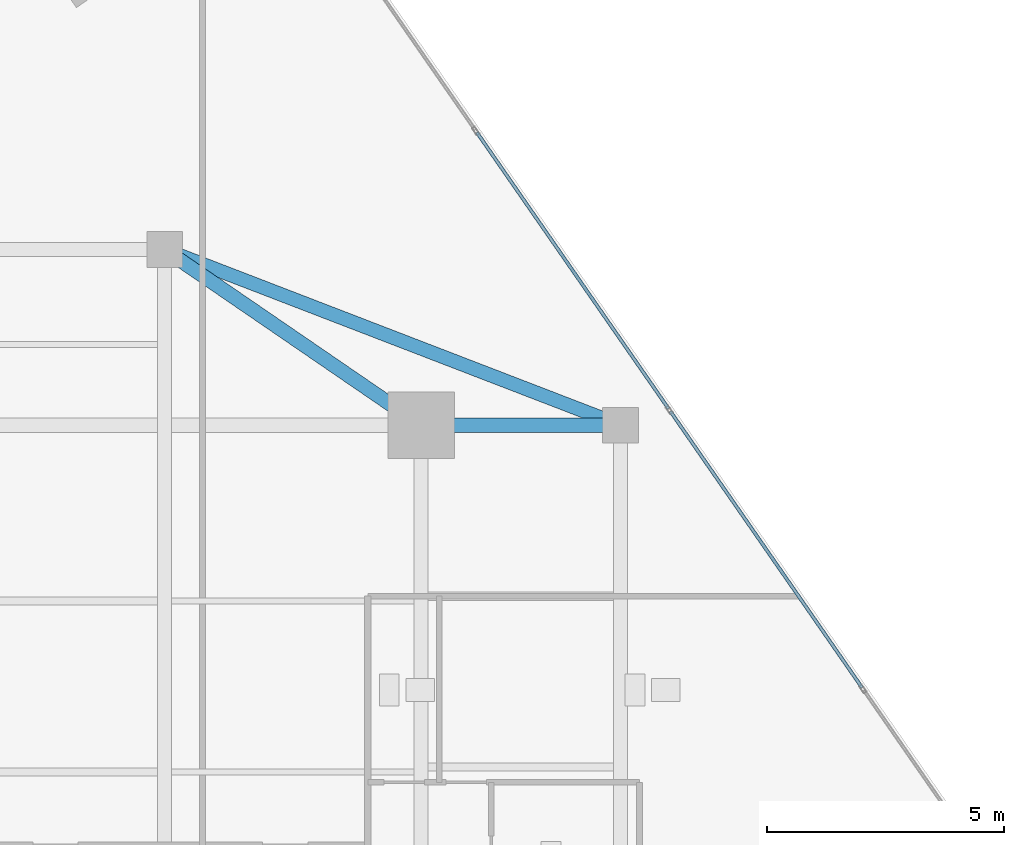
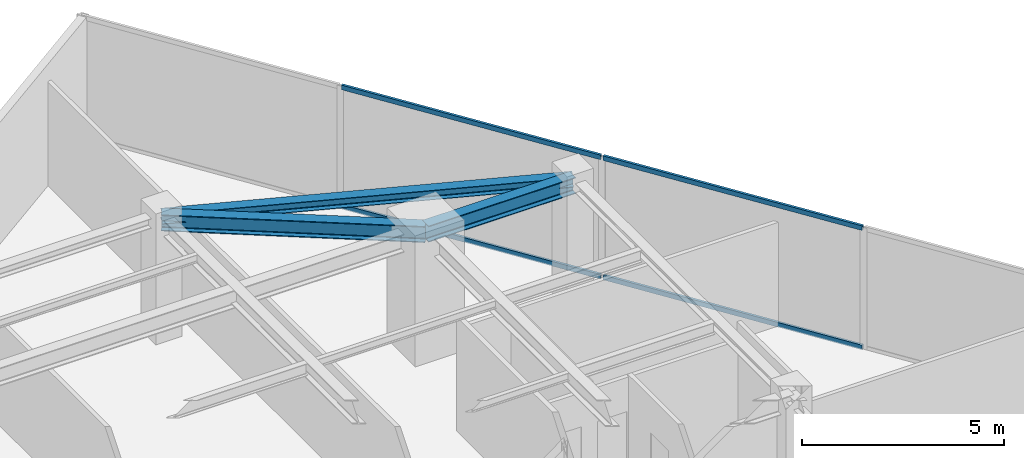
# One storey, part 15 of 21: 4 members, 3 beams, 1 element without a shape of its own.
"""IFC4 building model written with IfcOpenShell, lengths in metres."""

from ifc_helpers import new_model, si_unit, direction, frame, origin, origin_2d, place, context, subcontext, project, spatial, hollow_rectangle, i_section, extrude, source, transform, mapped, material, material_profile, profile_set, type_object, type_shapes, element, aggregate, save


model = new_model("IFC4")

# Units and contexts
model_context = context("Model", 3, precision=1e-05, world=origin(), true_north=direction((0.0, 1.0)))
body_context = subcontext(model_context, "Body", "Model", "MODEL_VIEW")
ifc_project = project(units=[si_unit("LENGTHUNIT", "METRE"), si_unit("AREAUNIT", "SQUARE_METRE"), si_unit("VOLUMEUNIT", "CUBIC_METRE"), si_unit("PLANEANGLEUNIT", "RADIAN"), si_unit("MASSUNIT", "GRAM", prefix="KILO")], contexts=[model_context])

# Site, building, storey
site_placement = place(None, origin())
site = spatial("IfcSite", under=ifc_project, at=site_placement, CompositionType="ELEMENT")
building_placement = place(site_placement, origin())
building = spatial("IfcBuilding", under=site, at=building_placement, Name="Krantzveldt Concourse Tower", CompositionType="ELEMENT")
storey_placement = place(building_placement, frame((0.0, 0.0, 279.25)))
storey = spatial("IfcBuildingStorey", under=building, at=storey_placement, Name="L68", CompositionType="ELEMENT", Elevation=279.25)

# Beams
ifc_material_1 = material(Name="Steel S355JR", Category="steel")
ifc_material_profile_1 = material_profile(ifc_material_1, i_section(OverallWidth=0.300048828125, OverallDepth=0.489990234375, WebThickness=0.011962890625, FlangeThickness=0.02294921875, FilletRadius=0.027099609375, at=origin_2d()), Name="Steel S355JR", Category="steel")
ifc_profile_set_1 = profile_set([ifc_material_profile_1], Name="Steel S355JR - HEA 500")
beam_type_1 = type_object("IfcBeamType", Name="BM-B-HEA500", PredefinedType="BEAM", material=ifc_profile_set_1)
shared_shape_1 = source(origin(), body_context, "Body", "SweptSolid", [
    extrude(i_section(OverallWidth=0.300048828125, OverallDepth=0.489990234375, WebThickness=0.011962890625, FlangeThickness=0.02294921875, FilletRadius=0.027099609375, at=origin_2d()), origin(), (0.0, 0.0, 1.0), 4.199951171875),
])
beam_1_placement = place(storey_placement, frame((46.800048828125, 37.5, 3.425048828125), z_axis=(1.0, 0.0, 0.0), x_axis=(0.0, 1.0, 0.0)))
element("IfcBeam", 1, at=beam_1_placement, inside=storey, type_object=beam_type_1, Name="L68 Tower Girder BR-RR3", PredefinedType="BEAM", context=body_context, shape_type="MappedRepresentation", body=[
    mapped(shared_shape_1, transform((0.0, 0.0, 0.0), x_axis=(1.0, 0.0, 0.0), y_axis=(0.0, 1.0, 0.0), z_axis=(0.0, 0.0, 1.0), scale=1.0)),
])
shared_shape_2 = source(origin(), body_context, "Body", "SweptSolid", [
    extrude(i_section(OverallWidth=0.300048828125, OverallDepth=0.489990234375, WebThickness=0.011962890625, FlangeThickness=0.02294921875, FilletRadius=0.027099609375, at=origin_2d()), origin(), (0.0, 0.0, 1.0), 6.546142578125),
])
type_shapes(beam_type_1, [shared_shape_1, shared_shape_2])
beam_2_placement = place(storey_placement, frame((46.800048828125, 37.5, 3.425048828125), z_axis=(-0.824942999484, 0.565215930068, 0.0), x_axis=(-0.565215930068, -0.824942999484, 0.0)))
element("IfcBeam", 2, at=beam_2_placement, inside=storey, type_object=beam_type_1, Name="L68 Tower Girder BR-RR4", PredefinedType="BEAM", context=body_context, shape_type="MappedRepresentation", body=[
    mapped(shared_shape_2, transform((0.0, 0.0, 0.0), x_axis=(1.0, 0.0, 0.0), y_axis=(0.0, 1.0, 0.0), z_axis=(0.0, 0.0, 1.0), scale=1.0)),
])
ifc_material_profile_2 = material_profile(ifc_material_1, i_section(OverallWidth=0.2900390625, OverallDepth=0.2900390625, WebThickness=0.008544921875, FlangeThickness=0.013916015625, FilletRadius=0.027099609375, at=origin_2d()), Name="Steel S355JR", Category="steel")
ifc_profile_set_2 = profile_set([ifc_material_profile_2], Name="Steel S355JR - HEA 300")
beam_type_2 = type_object("IfcBeamType", Name="BM-SP-HEA300", PredefinedType="SPANDREL", material=ifc_profile_set_2)
shared_shape_3 = source(origin(), body_context, "Body", "SweptSolid", [
    extrude(i_section(OverallWidth=0.2900390625, OverallDepth=0.2900390625, WebThickness=0.008544921875, FlangeThickness=0.013916015625, FilletRadius=0.027099609375, at=origin_2d()), origin(), (0.0, 0.0, 1.0), 10.288330078125),
])
type_shapes(beam_type_2, [shared_shape_3])
beam_3_placement = place(storey_placement, frame((41.39990234375, 41.199951171875, 3.52490234375), z_axis=(0.933097690408, -0.359622997257, 0.0), x_axis=(0.359622997257, 0.933097690408, 0.0)))
element("IfcBeam", 3, at=beam_3_placement, inside=storey, type_object=beam_type_2, Name="L68 Tower Girder SP-R05", PredefinedType="SPANDREL", context=body_context, shape_type="MappedRepresentation", body=[
    mapped(shared_shape_3, transform((0.0, 0.0, 0.0), x_axis=(1.0, 0.0, 0.0), y_axis=(0.0, 1.0, 0.0), z_axis=(0.0, 0.0, 1.0), scale=1.0)),
])

# Curtain wall, members
ifc_material_2 = material(Name="Anodised aluminium 6063-T6", Category="aluminium")
curtain_wall_type = type_object("IfcCurtainWallType", Name="CW4", PredefinedType="USERDEFINED", material=ifc_material_2)
curtain_wall_placement = place(storey_placement, origin())
curtain_wall = element("IfcCurtainWall", 4, at=curtain_wall_placement, inside=storey, type_object=curtain_wall_type, Name="CW-L68-F14", ObjectType="UNITISED CURTAIN WALL", PredefinedType="USERDEFINED")
ifc_material_profile_3 = material_profile(ifc_material_2, hollow_rectangle(XDim=0.070068359375, YDim=0.139892578125, WallThickness=0.0048828125, at=origin_2d()), Name="Anodised aluminium 6063-T6", Category="aluminium")
ifc_profile_set_3 = profile_set([ifc_material_profile_3], Name="Anodised aluminium 6063-T6 - ALU-TRAN 140x70x5")
member_type = type_object("IfcMemberType", Name="CW-TRN-150", PredefinedType="USERDEFINED", material=ifc_profile_set_3)
shared_shape_4 = source(origin(), body_context, "Body", "SweptSolid", [
    extrude(hollow_rectangle(XDim=0.070068359375, YDim=0.139892578125, WallThickness=0.0048828125, at=origin_2d()), origin(), (0.0, 0.0, 1.0), 7.080078125),
])
type_shapes(member_type, [shared_shape_4])
member_1_placement = place(storey_placement, frame((56.0859375, 31.974609375, 0.034912109375), z_axis=(-0.569995091692, 0.821648097087, 0.0), x_axis=(-0.821648097087, -0.569995091692, 0.0)))
member_1 = element("IfcMember", 5, at=member_1_placement, type_object=member_type, Name="CW-Z56 transom 2.1", ObjectType="TRANSOM", PredefinedType="USERDEFINED", context=body_context, shape_type="MappedRepresentation", body=[
    mapped(shared_shape_4, transform((0.0, 0.0, 0.0), x_axis=(1.0, 0.0, 0.0), y_axis=(0.0, 1.0, 0.0), z_axis=(0.0, 0.0, 1.0), scale=1.0)),
])
member_2_placement = place(storey_placement, frame((56.0859375, 31.974609375, 3.635009765625), z_axis=(-0.569995091692, 0.821648097087, 0.0), x_axis=(-0.821648097087, -0.569995091692, 0.0)))
member_2 = element("IfcMember", 6, at=member_2_placement, type_object=member_type, Name="CW-Z56 transom 2.2", ObjectType="TRANSOM", PredefinedType="USERDEFINED", context=body_context, shape_type="MappedRepresentation", body=[
    mapped(shared_shape_4, transform((0.0, 0.0, 0.0), x_axis=(1.0, 0.0, 0.0), y_axis=(0.0, 1.0, 0.0), z_axis=(0.0, 0.0, 1.0), scale=1.0)),
])
member_3_placement = place(storey_placement, frame((52.010498046875, 37.849365234375, 0.034912109375), z_axis=(-0.569995091692, 0.821648097087, 0.0), x_axis=(-0.821648097087, -0.569995091692, 0.0)))
member_3 = element("IfcMember", 7, at=member_3_placement, type_object=member_type, Name="CW-Z56 transom 3.1", ObjectType="TRANSOM", PredefinedType="USERDEFINED", context=body_context, shape_type="MappedRepresentation", body=[
    mapped(shared_shape_4, transform((0.0, 0.0, 0.0), x_axis=(1.0, 0.0, 0.0), y_axis=(0.0, 1.0, 0.0), z_axis=(0.0, 0.0, 1.0), scale=1.0)),
])
member_4_placement = place(storey_placement, frame((52.010498046875, 37.849365234375, 3.635009765625), z_axis=(-0.569995091692, 0.821648097087, 0.0), x_axis=(-0.821648097087, -0.569995091692, 0.0)))
member_4 = element("IfcMember", 8, at=member_4_placement, type_object=member_type, Name="CW-Z56 transom 3.2", ObjectType="TRANSOM", PredefinedType="USERDEFINED", context=body_context, shape_type="MappedRepresentation", body=[
    mapped(shared_shape_4, transform((0.0, 0.0, 0.0), x_axis=(1.0, 0.0, 0.0), y_axis=(0.0, 1.0, 0.0), z_axis=(0.0, 0.0, 1.0), scale=1.0)),
])
aggregate(curtain_wall, [member_1, member_2, member_3, member_4])

save(model, "model.ifc")
